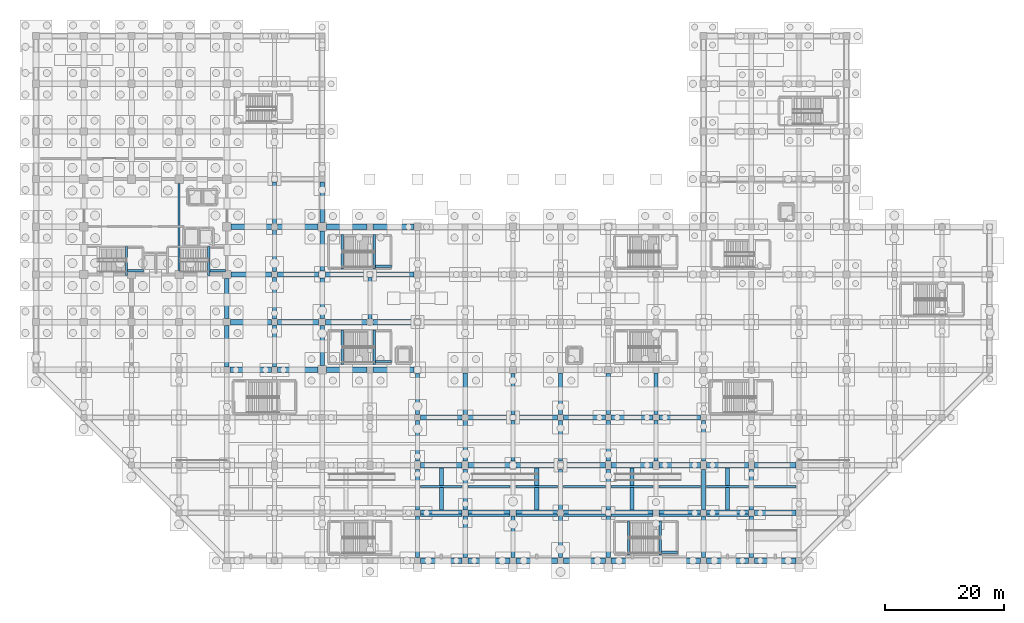
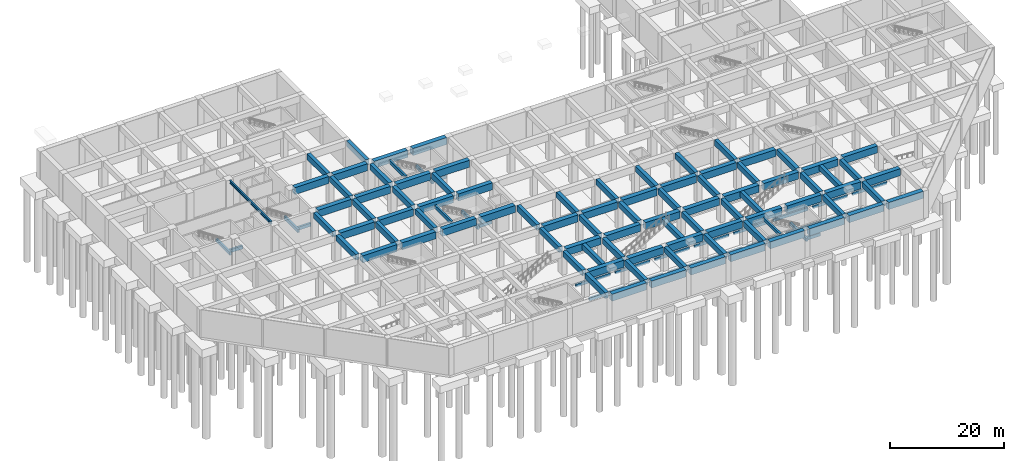
# One storey, part 11 of 26: 116 beams.
"""IFC4 building model written with IfcOpenShell, lengths in metres."""

from ifc_helpers import new_model, si_unit, direction, frame, origin, origin_2d, place, context, subcontext, project, spatial, rectangle, i_section, extrude, material, material_profile, profile_set, type_object, element, save


model = new_model("IFC4")

# Units and contexts
model_context = context("Model", 3, precision=1e-05, world=origin(), true_north=direction((0.0, 1.0)))
body_context = subcontext(model_context, "Body", "Model", "MODEL_VIEW")
ifc_project = project(units=[si_unit("LENGTHUNIT", "METRE"), si_unit("AREAUNIT", "SQUARE_METRE"), si_unit("VOLUMEUNIT", "CUBIC_METRE"), si_unit("PLANEANGLEUNIT", "RADIAN"), si_unit("MASSUNIT", "GRAM", prefix="KILO")], contexts=[model_context])

# Site, building, storey
site_placement = place(None, origin())
site = spatial("IfcSite", under=ifc_project, at=site_placement, CompositionType="ELEMENT")
building_placement = place(site_placement, origin())
building = spatial("IfcBuilding", under=site, at=building_placement, Name="Varnela Railside Interchange", CompositionType="ELEMENT")
storey_placement = place(building_placement, frame((0.0, 0.0, -12.60009765625)))
storey = spatial("IfcBuildingStorey", under=building, at=storey_placement, Name="B2", CompositionType="ELEMENT", Elevation=-12.60009765625)

# Beams
ifc_material_1 = material(Name="Concrete C40", Category="concrete")
ifc_material_profile_1 = material_profile(ifc_material_1, rectangle(XDim=0.39990234375, YDim=0.699951171875, at=origin_2d()), Name="RC 400x700")
ifc_profile_set_1 = profile_set([ifc_material_profile_1], Name="Concrete C40")
beam_type_1 = type_object("IfcBeamType", Name="Concrete Tie Beam B-01", PredefinedType="BEAM", material=ifc_profile_set_1)
beam_1_placement = place(storey_placement, frame((19.159912109375, 53.820068359375, 2.64013671875), z_axis=(0.0, 1.0, 0.0), x_axis=(-1.0, 0.0, 0.0)))
element("IfcBeam", 1, at=beam_1_placement, inside=storey, type_object=beam_type_1, Name="Concrete Tie Beam B-01 (B2) (BM-0379)", PredefinedType="BEAM", context=body_context, shape_type="SweptSolid", body=[
    extrude(rectangle(XDim=0.39990234375, YDim=0.699951171875, at=origin_2d()), origin(), (0.0, 0.0, 1.0), 4.85986328125),
])
beam_2_placement = place(storey_placement, frame((19.360107421875, 54.60009765625, 2.64013671875), z_axis=(1.0, 0.0, 0.0), x_axis=(0.0, 1.0, 0.0)))
element("IfcBeam", 2, at=beam_2_placement, inside=storey, type_object=beam_type_1, Name="Concrete Tie Beam B-01 (B2) (BM-0365)", PredefinedType="BEAM", context=body_context, shape_type="SweptSolid", body=[
    extrude(rectangle(XDim=0.39990234375, YDim=0.699951171875, at=origin_2d()), origin(), (0.0, 0.0, 1.0), 2.659912109375),
])
beam_3_placement = place(storey_placement, frame((32.9599609375, 53.820068359375, 2.64013671875), z_axis=(0.0, 1.0, 0.0), x_axis=(-1.0, 0.0, 0.0)))
element("IfcBeam", 3, at=beam_3_placement, inside=storey, type_object=beam_type_1, Name="Concrete Tie Beam B-01 (B2) (BM-0380)", PredefinedType="BEAM", context=body_context, shape_type="SweptSolid", body=[
    extrude(rectangle(XDim=0.39990234375, YDim=0.699951171875, at=origin_2d()), origin(), (0.0, 0.0, 1.0), 4.85986328125),
])
beam_4_placement = place(storey_placement, frame((33.159912109375, 54.60009765625, 2.64013671875), z_axis=(1.0, 0.0, 0.0), x_axis=(0.0, 1.0, 0.0)))
element("IfcBeam", 4, at=beam_4_placement, inside=storey, type_object=beam_type_1, Name="Concrete Tie Beam B-01 (B2) (BM-0366)", PredefinedType="BEAM", context=body_context, shape_type="SweptSolid", body=[
    extrude(rectangle(XDim=0.39990234375, YDim=0.699951171875, at=origin_2d()), origin(), (0.0, 0.0, 1.0), 2.66015625),
])
for number, where, z_axis, x_axis, name in (
    (5, (55.39990234375, 38.919921875, 5.550048828125), (0.0, 1.0, 0.0), (-1.0, 0.0, 0.0), "Concrete Tie Beam B-01 (B2) (BM-0382)"),
    (6, (60.7548828125, 38.919921875, 2.64013671875), (0.0, 1.0, 0.0), (-1.0, 0.0, 0.0), "Concrete Tie Beam B-01 (B2) (BM-0368)"),
):
    element("IfcBeam", number, at=place(storey_placement, frame(where, z_axis=z_axis, x_axis=x_axis)), inside=storey, type_object=beam_type_1, Name=name, PredefinedType="BEAM", context=body_context, shape_type="SweptSolid", body=[
        extrude(rectangle(XDim=0.39990234375, YDim=0.699951171875, at=origin_2d()), origin(), (0.0, 0.0, 1.0), 5.760009765625),
    ])
beam_5_placement = place(storey_placement, frame((60.955078125, 39.39990234375, 2.64013671875), z_axis=(1.0, 0.0, 0.0), x_axis=(0.0, 1.0, 0.0)))
element("IfcBeam", 7, at=beam_5_placement, inside=storey, type_object=beam_type_1, Name="Concrete Tie Beam B-01 (B2) (BM-0354)", PredefinedType="BEAM", context=body_context, shape_type="SweptSolid", body=[
    extrude(rectangle(XDim=0.39990234375, YDim=0.699951171875, at=origin_2d()), origin(), (0.0, 0.0, 1.0), 2.6650390625),
])
for number, where, z_axis, x_axis, name in (
    (8, (55.39990234375, 54.919921875, 5.550048828125), (0.0, 1.0, 0.0), (-1.0, 0.0, 0.0), "Concrete Tie Beam B-01 (B2) (BM-0384)"),
    (9, (60.7548828125, 54.919921875, 2.64013671875), (0.0, 1.0, 0.0), (-1.0, 0.0, 0.0), "Concrete Tie Beam B-01 (B2) (BM-0370)"),
):
    element("IfcBeam", number, at=place(storey_placement, frame(where, z_axis=z_axis, x_axis=x_axis)), inside=storey, type_object=beam_type_1, Name=name, PredefinedType="BEAM", context=body_context, shape_type="SweptSolid", body=[
        extrude(rectangle(XDim=0.39990234375, YDim=0.699951171875, at=origin_2d()), origin(), (0.0, 0.0, 1.0), 5.760009765625),
    ])
beam_6_placement = place(storey_placement, frame((60.955078125, 55.39990234375, 2.64013671875), z_axis=(1.0, 0.0, 0.0), x_axis=(0.0, 1.0, 0.0)))
element("IfcBeam", 10, at=beam_6_placement, inside=storey, type_object=beam_type_1, Name="Concrete Tie Beam B-01 (B2) (BM-0356)", PredefinedType="BEAM", context=body_context, shape_type="SweptSolid", body=[
    extrude(rectangle(XDim=0.39990234375, YDim=0.699951171875, at=origin_2d()), origin(), (0.0, 0.0, 1.0), 2.6650390625),
])
for number, where, z_axis, x_axis, name in (
    (11, (103.39990234375, 6.919921875, 5.550048828125), (0.0, 1.0, 0.0), (-1.0, 0.0, 0.0), "Concrete Tie Beam B-01 (B2) (BM-0392)"),
    (12, (108.7548828125, 6.919921875, 2.64013671875), (0.0, 1.0, 0.0), (-1.0, 0.0, 0.0), "Concrete Tie Beam B-01 (B2) (BM-0378)"),
):
    element("IfcBeam", number, at=place(storey_placement, frame(where, z_axis=z_axis, x_axis=x_axis)), inside=storey, type_object=beam_type_1, Name=name, PredefinedType="BEAM", context=body_context, shape_type="SweptSolid", body=[
        extrude(rectangle(XDim=0.39990234375, YDim=0.699951171875, at=origin_2d()), origin(), (0.0, 0.0, 1.0), 5.760009765625),
    ])
beam_7_placement = place(storey_placement, frame((108.955078125, 7.39990234375, 2.64013671875), z_axis=(1.0, 0.0, 0.0), x_axis=(0.0, 1.0, 0.0)))
element("IfcBeam", 13, at=beam_7_placement, inside=storey, type_object=beam_type_1, Name="Concrete Tie Beam B-01 (B2) (BM-0364)", PredefinedType="BEAM", context=body_context, shape_type="SweptSolid", body=[
    extrude(rectangle(XDim=0.39990234375, YDim=0.699951171875, at=origin_2d()), origin(), (0.0, 0.0, 1.0), 2.6650390625),
])
ifc_material_2 = material(Name="Concrete C50", Category="concrete")
ifc_material_profile_2 = material_profile(ifc_material_2, rectangle(XDim=0.89990234375, YDim=1.5, at=origin_2d()), Name="RC 900x1500")
ifc_profile_set_2 = profile_set([ifc_material_profile_2], Name="Concrete C50")
beam_type_2 = type_object("IfcBeamType", Name="Metro Trackway Girder B-11", PredefinedType="BEAM", material=ifc_profile_set_2)
for number, where, z_axis, x_axis, name in (
    (14, (68.5, 6.0, 5.150146484375), (1.0, 0.0, 0.0), (0.0, 1.0, 0.0), "Metro Trackway Girder B-11 (B2) (BM-0032)"),
    (15, (76.5, 6.0, 5.150146484375), (1.0, 0.0, 0.0), (0.0, 1.0, 0.0), "Metro Trackway Girder B-11 (B2) (BM-0033)"),
    (16, (84.5, 6.0, 5.150146484375), (1.0, 0.0, 0.0), (0.0, 1.0, 0.0), "Metro Trackway Girder B-11 (B2) (BM-0034)"),
    (17, (92.5, 6.0, 5.150146484375), (1.0, 0.0, 0.0), (0.0, 1.0, 0.0), "Metro Trackway Girder B-11 (B2) (BM-0035)"),
    (18, (100.5, 6.0, 5.150146484375), (1.0, 0.0, 0.0), (0.0, 1.0, 0.0), "Metro Trackway Girder B-11 (B2) (BM-0024)"),
    (19, (108.5, 6.0, 5.150146484375), (1.0, 0.0, 0.0), (0.0, 1.0, 0.0), "Metro Trackway Girder B-11 (B2) (BM-0025)"),
    (20, (116.5, 6.0, 5.150146484375), (1.0, 0.0, 0.0), (0.0, 1.0, 0.0), "Metro Trackway Girder B-11 (B2) (BM-0026)"),
    (21, (124.5, 6.0, 5.150146484375), (1.0, 0.0, 0.0), (0.0, 1.0, 0.0), "Metro Trackway Girder B-11 (B2) (BM-0027)"),
    (22, (68.5, 14.0, 5.150146484375), (1.0, 0.0, 0.0), (0.0, 1.0, 0.0), "Metro Trackway Girder B-11 (B2) (BM-0046)"),
    (23, (76.5, 14.0, 5.150146484375), (1.0, 0.0, 0.0), (0.0, 1.0, 0.0), "Metro Trackway Girder B-11 (B2) (BM-0047)"),
    (24, (84.5, 14.0, 5.150146484375), (1.0, 0.0, 0.0), (0.0, 1.0, 0.0), "Metro Trackway Girder B-11 (B2) (BM-0048)"),
    (25, (92.5, 14.0, 5.150146484375), (1.0, 0.0, 0.0), (0.0, 1.0, 0.0), "Metro Trackway Girder B-11 (B2) (BM-0049)"),
    (26, (100.5, 14.0, 5.150146484375), (1.0, 0.0, 0.0), (0.0, 1.0, 0.0), "Metro Trackway Girder B-11 (B2) (BM-0036)"),
    (27, (108.5, 14.0, 5.150146484375), (1.0, 0.0, 0.0), (0.0, 1.0, 0.0), "Metro Trackway Girder B-11 (B2) (BM-0037)"),
    (28, (116.5, 14.0, 5.150146484375), (1.0, 0.0, 0.0), (0.0, 1.0, 0.0), "Metro Trackway Girder B-11 (B2) (BM-0038)"),
    (29, (124.5, 14.0, 5.150146484375), (1.0, 0.0, 0.0), (0.0, 1.0, 0.0), "Metro Trackway Girder B-11 (B2) (BM-0039)"),
    (30, (68.5, 22.0, 5.150146484375), (1.0, 0.0, 0.0), (0.0, 1.0, 0.0), "Metro Trackway Girder B-11 (B2) (BM-0062)"),
    (31, (76.5, 22.0, 5.150146484375), (1.0, 0.0, 0.0), (0.0, 1.0, 0.0), "Metro Trackway Girder B-11 (B2) (BM-0063)"),
    (32, (84.5, 22.0, 5.150146484375), (1.0, 0.0, 0.0), (0.0, 1.0, 0.0), "Metro Trackway Girder B-11 (B2) (BM-0064)"),
    (33, (92.5, 22.0, 5.150146484375), (1.0, 0.0, 0.0), (0.0, 1.0, 0.0), "Metro Trackway Girder B-11 (B2) (BM-0065)"),
    (34, (100.5, 22.0, 5.150146484375), (1.0, 0.0, 0.0), (0.0, 1.0, 0.0), "Metro Trackway Girder B-11 (B2) (BM-0050)"),
    (35, (108.5, 22.0, 5.150146484375), (1.0, 0.0, 0.0), (0.0, 1.0, 0.0), "Metro Trackway Girder B-11 (B2) (BM-0051)"),
    (36, (116.5, 22.0, 5.150146484375), (1.0, 0.0, 0.0), (0.0, 1.0, 0.0), "Metro Trackway Girder B-11 (B2) (BM-0052)"),
    (37, (124.5, 22.0, 5.150146484375), (1.0, 0.0, 0.0), (0.0, 1.0, 0.0), "Metro Trackway Girder B-11 (B2) (BM-0053)"),
    (38, (68.5, 30.0, 5.150146484375), (1.0, 0.0, 0.0), (0.0, 1.0, 0.0), "Metro Trackway Girder B-11 (B2) (BM-0080)"),
    (39, (76.5, 30.0, 5.150146484375), (1.0, 0.0, 0.0), (0.0, 1.0, 0.0), "Metro Trackway Girder B-11 (B2) (BM-0081)"),
    (40, (84.5, 30.0, 5.150146484375), (1.0, 0.0, 0.0), (0.0, 1.0, 0.0), "Metro Trackway Girder B-11 (B2) (BM-0082)"),
    (41, (92.5, 30.0, 5.150146484375), (1.0, 0.0, 0.0), (0.0, 1.0, 0.0), "Metro Trackway Girder B-11 (B2) (BM-0083)"),
    (42, (100.5, 30.0, 5.150146484375), (1.0, 0.0, 0.0), (0.0, 1.0, 0.0), "Metro Trackway Girder B-11 (B2) (BM-0066)"),
    (43, (108.5, 30.0, 5.150146484375), (1.0, 0.0, 0.0), (0.0, 1.0, 0.0), "Metro Trackway Girder B-11 (B2) (BM-0067)"),
    (44, (36.5, 38.0, 5.150146484375), (1.0, 0.0, 0.0), (0.0, 1.0, 0.0), "Metro Trackway Girder B-11 (B2) (BM-0095)"),
):
    element("IfcBeam", number, at=place(storey_placement, frame(where, z_axis=z_axis, x_axis=x_axis)), inside=storey, type_object=beam_type_2, Name=name, PredefinedType="BEAM", context=body_context, shape_type="SweptSolid", body=[
        extrude(rectangle(XDim=0.89990234375, YDim=1.5, at=origin_2d()), origin(), (0.0, 0.0, 1.0), 7.0),
    ])
for number, where, z_axis, x_axis, name in (
    (45, (44.5, 38.0, 5.150146484375), (1.0, 0.0, 0.0), (0.0, 1.0, 0.0), "Metro Trackway Girder B-11 (B2) (BM-0096)"),
    (46, (52.699951171875, 38.0, 5.150146484375), (1.0, 0.0, 0.0), (0.0, 1.0, 0.0), "Metro Trackway Girder B-11 (B2) (BM-0098)"),
):
    element("IfcBeam", number, at=place(storey_placement, frame(where, z_axis=z_axis, x_axis=x_axis)), inside=storey, type_object=beam_type_2, Name=name, PredefinedType="BEAM", context=body_context, shape_type="SweptSolid", body=[
        extrude(rectangle(XDim=0.89990234375, YDim=1.5, at=origin_2d()), origin(), (0.0, 0.0, 1.0), 6.800048828125),
    ])
for number, where, z_axis, x_axis, name in (
    (47, (60.5, 38.0, 5.150146484375), (1.0, 0.0, 0.0), (0.0, 1.0, 0.0), "Metro Trackway Girder B-11 (B2) (BM-0099)"),
    (48, (36.60009765625, 46.0, 5.150146484375), (1.0, 0.0, 0.0), (0.0, 1.0, 0.0), "Metro Trackway Girder B-11 (B2) (BM-0115)"),
    (49, (44.5, 46.0, 5.150146484375), (1.0, 0.0, 0.0), (0.0, 1.0, 0.0), "Metro Trackway Girder B-11 (B2) (BM-0116)"),
    (50, (52.60009765625, 46.0, 5.150146484375), (1.0, 0.0, 0.0), (0.0, 1.0, 0.0), "Metro Trackway Girder B-11 (B2) (BM-0118)"),
    (51, (60.5, 46.0, 5.150146484375), (1.0, 0.0, 0.0), (0.0, 1.0, 0.0), "Metro Trackway Girder B-11 (B2) (BM-0119)"),
):
    element("IfcBeam", number, at=place(storey_placement, frame(where, z_axis=z_axis, x_axis=x_axis)), inside=storey, type_object=beam_type_2, Name=name, PredefinedType="BEAM", context=body_context, shape_type="SweptSolid", body=[
        extrude(rectangle(XDim=0.89990234375, YDim=1.5, at=origin_2d()), origin(), (0.0, 0.0, 1.0), 6.89990234375),
    ])
beam_8_placement = place(storey_placement, frame((36.699951171875, 54.0, 5.150146484375), z_axis=(1.0, 0.0, 0.0), x_axis=(0.0, 1.0, 0.0)))
element("IfcBeam", 52, at=beam_8_placement, inside=storey, type_object=beam_type_2, Name="Metro Trackway Girder B-11 (B2) (BM-0132)", PredefinedType="BEAM", context=body_context, shape_type="SweptSolid", body=[
    extrude(rectangle(XDim=0.89990234375, YDim=1.5, at=origin_2d()), origin(), (0.0, 0.0, 1.0), 6.800048828125),
])
for number, where, z_axis, x_axis, name in (
    (53, (44.5, 54.0, 5.150146484375), (1.0, 0.0, 0.0), (0.0, 1.0, 0.0), "Metro Trackway Girder B-11 (B2) (BM-0133)"),
    (54, (52.60009765625, 54.0, 5.150146484375), (1.0, 0.0, 0.0), (0.0, 1.0, 0.0), "Metro Trackway Girder B-11 (B2) (BM-0135)"),
    (55, (60.5, 54.0, 5.150146484375), (1.0, 0.0, 0.0), (0.0, 1.0, 0.0), "Metro Trackway Girder B-11 (B2) (BM-0136)"),
):
    element("IfcBeam", number, at=place(storey_placement, frame(where, z_axis=z_axis, x_axis=x_axis)), inside=storey, type_object=beam_type_2, Name=name, PredefinedType="BEAM", context=body_context, shape_type="SweptSolid", body=[
        extrude(rectangle(XDim=0.89990234375, YDim=1.5, at=origin_2d()), origin(), (0.0, 0.0, 1.0), 6.89990234375),
    ])
for number, where, z_axis, x_axis, name in (
    (56, (36.699951171875, 62.0, 5.150146484375), (1.0, 0.0, 0.0), (0.0, 1.0, 0.0), "Metro Trackway Girder B-11 (B2) (BM-0149)"),
    (57, (44.5, 62.0, 5.150146484375), (1.0, 0.0, 0.0), (0.0, 1.0, 0.0), "Metro Trackway Girder B-11 (B2) (BM-0150)"),
    (58, (52.699951171875, 62.0, 5.150146484375), (1.0, 0.0, 0.0), (0.0, 1.0, 0.0), "Metro Trackway Girder B-11 (B2) (BM-0152)"),
):
    element("IfcBeam", number, at=place(storey_placement, frame(where, z_axis=z_axis, x_axis=x_axis)), inside=storey, type_object=beam_type_2, Name=name, PredefinedType="BEAM", context=body_context, shape_type="SweptSolid", body=[
        extrude(rectangle(XDim=0.89990234375, YDim=1.5, at=origin_2d()), origin(), (0.0, 0.0, 1.0), 6.800048828125),
    ])
beam_9_placement = place(storey_placement, frame((60.5, 62.0, 5.150146484375), z_axis=(1.0, 0.0, 0.0), x_axis=(0.0, 1.0, 0.0)))
element("IfcBeam", 59, at=beam_9_placement, inside=storey, type_object=beam_type_2, Name="Metro Trackway Girder B-11 (B2) (BM-0153)", PredefinedType="BEAM", context=body_context, shape_type="SweptSolid", body=[
    extrude(rectangle(XDim=0.89990234375, YDim=1.5, at=origin_2d()), origin(), (0.0, 0.0, 1.0), 6.89990234375),
])
ifc_material_3 = material(Name="Concrete C40 precast", Category="concrete")
ifc_material_profile_3 = material_profile(ifc_material_3, rectangle(XDim=0.35009765625, YDim=0.64990234375, at=origin_2d()), Name="PC 350x650")
ifc_profile_set_3 = profile_set([ifc_material_profile_3], Name="Concrete C40 precast")
beam_type_3 = type_object("IfcBeamType", Name="Precast Platform Edge Beam PB-01", PredefinedType="T_BEAM", material=ifc_profile_set_3)
for number, where, z_axis, x_axis, name in (
    (60, (68.5, 13.60009765625, 0.025146484375), (1.0, 0.0, 0.0), (0.0, 1.0, 0.0), "Precast Platform Edge Beam PB-01 (B2) (BM-0018)"),
    (61, (76.5, 13.60009765625, 0.025146484375), (1.0, 0.0, 0.0), (0.0, 1.0, 0.0), "Precast Platform Edge Beam PB-01 (B2) (BM-0019)"),
    (62, (84.5, 13.60009765625, 0.025146484375), (1.0, 0.0, 0.0), (0.0, 1.0, 0.0), "Precast Platform Edge Beam PB-01 (B2) (BM-0020)"),
    (63, (92.5, 13.60009765625, 0.025146484375), (1.0, 0.0, 0.0), (0.0, 1.0, 0.0), "Precast Platform Edge Beam PB-01 (B2) (BM-0021)"),
    (64, (100.5, 13.60009765625, 0.025146484375), (1.0, 0.0, 0.0), (0.0, 1.0, 0.0), "Precast Platform Edge Beam PB-01 (B2) (BM-0022)"),
    (65, (108.5, 13.60009765625, 0.025146484375), (1.0, 0.0, 0.0), (0.0, 1.0, 0.0), "Precast Platform Edge Beam PB-01 (B2) (BM-0023)"),
    (66, (116.5, 13.60009765625, 0.025146484375), (1.0, 0.0, 0.0), (0.0, 1.0, 0.0), "Precast Platform Edge Beam PB-01 (B2) (BM-0015)"),
    (67, (68.5, 18.39990234375, 0.025146484375), (1.0, 0.0, 0.0), (0.0, 1.0, 0.0), "Precast Platform Edge Beam PB-01 (B2) (BM-0007)"),
    (68, (76.5, 18.39990234375, 0.025146484375), (1.0, 0.0, 0.0), (0.0, 1.0, 0.0), "Precast Platform Edge Beam PB-01 (B2) (BM-0008)"),
    (69, (84.5, 18.39990234375, 0.025146484375), (1.0, 0.0, 0.0), (0.0, 1.0, 0.0), "Precast Platform Edge Beam PB-01 (B2) (BM-0009)"),
    (70, (92.5, 18.39990234375, 0.025146484375), (1.0, 0.0, 0.0), (0.0, 1.0, 0.0), "Precast Platform Edge Beam PB-01 (B2) (BM-0010)"),
    (71, (100.5, 18.39990234375, 0.025146484375), (1.0, 0.0, 0.0), (0.0, 1.0, 0.0), "Precast Platform Edge Beam PB-01 (B2) (BM-0011)"),
    (72, (108.5, 18.39990234375, 0.025146484375), (1.0, 0.0, 0.0), (0.0, 1.0, 0.0), "Precast Platform Edge Beam PB-01 (B2) (BM-0012)"),
    (73, (116.5, 18.39990234375, 0.025146484375), (1.0, 0.0, 0.0), (0.0, 1.0, 0.0), "Precast Platform Edge Beam PB-01 (B2) (BM-0003)"),
    (74, (124.5, 18.39990234375, 0.025146484375), (1.0, 0.0, 0.0), (0.0, 1.0, 0.0), "Precast Platform Edge Beam PB-01 (B2) (BM-0004)"),
):
    element("IfcBeam", number, at=place(storey_placement, frame(where, z_axis=z_axis, x_axis=x_axis)), inside=storey, type_object=beam_type_3, Name=name, PredefinedType="T_BEAM", context=body_context, shape_type="SweptSolid", body=[
        extrude(rectangle(XDim=0.35009765625, YDim=0.64990234375, at=origin_2d()), origin(), (0.0, 0.0, 1.0), 7.0),
    ])
ifc_material_profile_4 = material_profile(ifc_material_2, rectangle(XDim=0.699951171875, YDim=1.199951171875, at=origin_2d()), Name="RC 700x1200")
ifc_profile_set_4 = profile_set([ifc_material_profile_4], Name="Concrete C50")
beam_type_4 = type_object("IfcBeamType", Name="Station Box Main Girder B-08", PredefinedType="BEAM", material=ifc_profile_set_4)
beam_10_placement = place(storey_placement, frame((36.0, 38.5, 5.300048828125), z_axis=(0.0, 1.0, 0.0), x_axis=(-1.0, 0.0, 0.0)))
element("IfcBeam", 75, at=beam_10_placement, inside=storey, type_object=beam_type_4, Name="Station Box Main Girder B-08 (B2) (BM-0304)", PredefinedType="BEAM", context=body_context, shape_type="SweptSolid", body=[
    extrude(rectangle(XDim=0.699951171875, YDim=1.199951171875, at=origin_2d()), origin(), (0.0, 0.0, 1.0), 6.89990234375),
])
beam_11_placement = place(storey_placement, frame((36.0, 46.60009765625, 5.300048828125), z_axis=(0.0, 1.0, 0.0), x_axis=(-1.0, 0.0, 0.0)))
element("IfcBeam", 76, at=beam_11_placement, inside=storey, type_object=beam_type_4, Name="Station Box Main Girder B-08 (B2) (BM-0305)", PredefinedType="BEAM", context=body_context, shape_type="SweptSolid", body=[
    extrude(rectangle(XDim=0.699951171875, YDim=1.199951171875, at=origin_2d()), origin(), (0.0, 0.0, 1.0), 6.699951171875),
])
for number, where, z_axis, x_axis, name in (
    (77, (44.0, 38.5, 5.300048828125), (0.0, 1.0, 0.0), (-1.0, 0.0, 0.0), "Station Box Main Girder B-08 (B2) (BM-0312)"),
    (78, (44.0, 46.5, 5.300048828125), (0.0, 1.0, 0.0), (-1.0, 0.0, 0.0), "Station Box Main Girder B-08 (B2) (BM-0313)"),
    (79, (44.0, 54.5, 5.300048828125), (0.0, 1.0, 0.0), (-1.0, 0.0, 0.0), "Station Box Main Girder B-08 (B2) (BM-0314)"),
    (80, (44.0, 62.5, 5.300048828125), (0.0, 1.0, 0.0), (-1.0, 0.0, 0.0), "Station Box Main Girder B-08 (B2) (BM-0315)"),
):
    element("IfcBeam", number, at=place(storey_placement, frame(where, z_axis=z_axis, x_axis=x_axis)), inside=storey, type_object=beam_type_4, Name=name, PredefinedType="BEAM", context=body_context, shape_type="SweptSolid", body=[
        extrude(rectangle(XDim=0.699951171875, YDim=1.199951171875, at=origin_2d()), origin(), (0.0, 0.0, 1.0), 7.0),
    ])
beam_12_placement = place(storey_placement, frame((52.0, 38.699951171875, 5.300048828125), z_axis=(0.0, 1.0, 0.0), x_axis=(-1.0, 0.0, 0.0)))
element("IfcBeam", 81, at=beam_12_placement, inside=storey, type_object=beam_type_4, Name="Station Box Main Girder B-08 (B2) (BM-0322)", PredefinedType="BEAM", context=body_context, shape_type="SweptSolid", body=[
    extrude(rectangle(XDim=0.699951171875, YDim=1.199951171875, at=origin_2d()), origin(), (0.0, 0.0, 1.0), 6.699951171875),
])
beam_13_placement = place(storey_placement, frame((52.0, 46.60009765625, 5.300048828125), z_axis=(0.0, 1.0, 0.0), x_axis=(-1.0, 0.0, 0.0)))
element("IfcBeam", 82, at=beam_13_placement, inside=storey, type_object=beam_type_4, Name="Station Box Main Girder B-08 (B2) (BM-0323)", PredefinedType="BEAM", context=body_context, shape_type="SweptSolid", body=[
    extrude(rectangle(XDim=0.699951171875, YDim=1.199951171875, at=origin_2d()), origin(), (0.0, 0.0, 1.0), 6.7998046875),
])
beam_14_placement = place(storey_placement, frame((52.0, 54.60009765625, 5.300048828125), z_axis=(0.0, 1.0, 0.0), x_axis=(-1.0, 0.0, 0.0)))
element("IfcBeam", 83, at=beam_14_placement, inside=storey, type_object=beam_type_4, Name="Station Box Main Girder B-08 (B2) (BM-0324)", PredefinedType="BEAM", context=body_context, shape_type="SweptSolid", body=[
    extrude(rectangle(XDim=0.699951171875, YDim=1.199951171875, at=origin_2d()), origin(), (0.0, 0.0, 1.0), 6.699951171875),
])
beam_15_placement = place(storey_placement, frame((52.0, 62.699951171875, 5.300048828125), z_axis=(0.0, 1.0, 0.0), x_axis=(-1.0, 0.0, 0.0)))
element("IfcBeam", 84, at=beam_15_placement, inside=storey, type_object=beam_type_4, Name="Station Box Main Girder B-08 (B2) (BM-0325)", PredefinedType="BEAM", context=body_context, shape_type="SweptSolid", body=[
    extrude(rectangle(XDim=0.699951171875, YDim=1.199951171875, at=origin_2d()), origin(), (0.0, 0.0, 1.0), 6.800048828125),
])
for number, where, z_axis, x_axis, name in (
    (85, (60.0, 46.5, 5.300048828125), (0.0, 1.0, 0.0), (-1.0, 0.0, 0.0), "Station Box Main Girder B-08 (B2) (BM-0332)"),
    (86, (68.0, 6.5, 5.300048828125), (0.0, 1.0, 0.0), (-1.0, 0.0, 0.0), "Station Box Main Girder B-08 (B2) (BM-0339)"),
):
    element("IfcBeam", number, at=place(storey_placement, frame(where, z_axis=z_axis, x_axis=x_axis)), inside=storey, type_object=beam_type_4, Name=name, PredefinedType="BEAM", context=body_context, shape_type="SweptSolid", body=[
        extrude(rectangle(XDim=0.699951171875, YDim=1.199951171875, at=origin_2d()), origin(), (0.0, 0.0, 1.0), 7.0),
    ])
for number, where, z_axis, x_axis, name in (
    (87, (68.0, 14.5, 5.300048828125), (0.0, 1.0, 0.0), (-1.0, 0.0, 0.0), "Station Box Main Girder B-08 (B2) (BM-0333)"),
    (88, (68.0, 22.699951171875, 5.300048828125), (0.0, 1.0, 0.0), (-1.0, 0.0, 0.0), "Station Box Main Girder B-08 (B2) (BM-0334)"),
):
    element("IfcBeam", number, at=place(storey_placement, frame(where, z_axis=z_axis, x_axis=x_axis)), inside=storey, type_object=beam_type_4, Name=name, PredefinedType="BEAM", context=body_context, shape_type="SweptSolid", body=[
        extrude(rectangle(XDim=0.699951171875, YDim=1.199951171875, at=origin_2d()), origin(), (0.0, 0.0, 1.0), 6.800048828125),
    ])
beam_16_placement = place(storey_placement, frame((68.0, 30.5, 5.300048828125), z_axis=(0.0, 1.0, 0.0), x_axis=(-1.0, 0.0, 0.0)))
element("IfcBeam", 89, at=beam_16_placement, inside=storey, type_object=beam_type_4, Name="Station Box Main Girder B-08 (B2) (BM-0335)", PredefinedType="BEAM", context=body_context, shape_type="SweptSolid", body=[
    extrude(rectangle(XDim=0.699951171875, YDim=1.199951171875, at=origin_2d()), origin(), (0.0, 0.0, 1.0), 6.89990234375),
])
beam_17_placement = place(storey_placement, frame((76.0, 6.5, 5.300048828125), z_axis=(0.0, 1.0, 0.0), x_axis=(-1.0, 0.0, 0.0)))
element("IfcBeam", 90, at=beam_17_placement, inside=storey, type_object=beam_type_4, Name="Station Box Main Girder B-08 (B2) (BM-0197)", PredefinedType="BEAM", context=body_context, shape_type="SweptSolid", body=[
    extrude(rectangle(XDim=0.699951171875, YDim=1.199951171875, at=origin_2d()), origin(), (0.0, 0.0, 1.0), 7.0),
])
for number, where, z_axis, x_axis, name in (
    (91, (76.0, 14.5, 5.300048828125), (0.0, 1.0, 0.0), (-1.0, 0.0, 0.0), "Station Box Main Girder B-08 (B2) (BM-0191)"),
    (92, (76.0, 22.699951171875, 5.300048828125), (0.0, 1.0, 0.0), (-1.0, 0.0, 0.0), "Station Box Main Girder B-08 (B2) (BM-0192)"),
):
    element("IfcBeam", number, at=place(storey_placement, frame(where, z_axis=z_axis, x_axis=x_axis)), inside=storey, type_object=beam_type_4, Name=name, PredefinedType="BEAM", context=body_context, shape_type="SweptSolid", body=[
        extrude(rectangle(XDim=0.699951171875, YDim=1.199951171875, at=origin_2d()), origin(), (0.0, 0.0, 1.0), 6.800048828125),
    ])
for number, where, z_axis, x_axis, name in (
    (93, (76.0, 30.5, 5.300048828125), (0.0, 1.0, 0.0), (-1.0, 0.0, 0.0), "Station Box Main Girder B-08 (B2) (BM-0193)"),
    (94, (84.0, 6.5, 5.300048828125), (0.0, 1.0, 0.0), (-1.0, 0.0, 0.0), "Station Box Main Girder B-08 (B2) (BM-0203)"),
):
    element("IfcBeam", number, at=place(storey_placement, frame(where, z_axis=z_axis, x_axis=x_axis)), inside=storey, type_object=beam_type_4, Name=name, PredefinedType="BEAM", context=body_context, shape_type="SweptSolid", body=[
        extrude(rectangle(XDim=0.699951171875, YDim=1.199951171875, at=origin_2d()), origin(), (0.0, 0.0, 1.0), 7.0),
    ])
beam_18_placement = place(storey_placement, frame((84.0, 22.699951171875, 5.300048828125), z_axis=(0.0, 1.0, 0.0), x_axis=(-1.0, 0.0, 0.0)))
element("IfcBeam", 95, at=beam_18_placement, inside=storey, type_object=beam_type_4, Name="Station Box Main Girder B-08 (B2) (BM-0198)", PredefinedType="BEAM", context=body_context, shape_type="SweptSolid", body=[
    extrude(rectangle(XDim=0.699951171875, YDim=1.199951171875, at=origin_2d()), origin(), (0.0, 0.0, 1.0), 6.800048828125),
])
beam_19_placement = place(storey_placement, frame((84.0, 30.5, 5.300048828125), z_axis=(0.0, 1.0, 0.0), x_axis=(-1.0, 0.0, 0.0)))
element("IfcBeam", 96, at=beam_19_placement, inside=storey, type_object=beam_type_4, Name="Station Box Main Girder B-08 (B2) (BM-0199)", PredefinedType="BEAM", context=body_context, shape_type="SweptSolid", body=[
    extrude(rectangle(XDim=0.699951171875, YDim=1.199951171875, at=origin_2d()), origin(), (0.0, 0.0, 1.0), 6.89990234375),
])
beam_20_placement = place(storey_placement, frame((92.0, 6.5, 5.300048828125), z_axis=(0.0, 1.0, 0.0), x_axis=(-1.0, 0.0, 0.0)))
element("IfcBeam", 97, at=beam_20_placement, inside=storey, type_object=beam_type_4, Name="Station Box Main Girder B-08 (B2) (BM-0210)", PredefinedType="BEAM", context=body_context, shape_type="SweptSolid", body=[
    extrude(rectangle(XDim=0.699951171875, YDim=1.199951171875, at=origin_2d()), origin(), (0.0, 0.0, 1.0), 7.0),
])
for number, where, z_axis, x_axis, name in (
    (98, (92.0, 14.5, 5.300048828125), (0.0, 1.0, 0.0), (-1.0, 0.0, 0.0), "Station Box Main Girder B-08 (B2) (BM-0204)"),
    (99, (92.0, 22.699951171875, 5.300048828125), (0.0, 1.0, 0.0), (-1.0, 0.0, 0.0), "Station Box Main Girder B-08 (B2) (BM-0205)"),
):
    element("IfcBeam", number, at=place(storey_placement, frame(where, z_axis=z_axis, x_axis=x_axis)), inside=storey, type_object=beam_type_4, Name=name, PredefinedType="BEAM", context=body_context, shape_type="SweptSolid", body=[
        extrude(rectangle(XDim=0.699951171875, YDim=1.199951171875, at=origin_2d()), origin(), (0.0, 0.0, 1.0), 6.800048828125),
    ])
for number, where, z_axis, x_axis, name in (
    (100, (92.0, 30.5, 5.300048828125), (0.0, 1.0, 0.0), (-1.0, 0.0, 0.0), "Station Box Main Girder B-08 (B2) (BM-0206)"),
    (101, (100.0, 6.5, 5.300048828125), (0.0, 1.0, 0.0), (-1.0, 0.0, 0.0), "Station Box Main Girder B-08 (B2) (BM-0217)"),
):
    element("IfcBeam", number, at=place(storey_placement, frame(where, z_axis=z_axis, x_axis=x_axis)), inside=storey, type_object=beam_type_4, Name=name, PredefinedType="BEAM", context=body_context, shape_type="SweptSolid", body=[
        extrude(rectangle(XDim=0.699951171875, YDim=1.199951171875, at=origin_2d()), origin(), (0.0, 0.0, 1.0), 7.0),
    ])
for number, where, z_axis, x_axis, name in (
    (102, (100.0, 14.5, 5.300048828125), (0.0, 1.0, 0.0), (-1.0, 0.0, 0.0), "Station Box Main Girder B-08 (B2) (BM-0211)"),
    (103, (100.0, 22.699951171875, 5.300048828125), (0.0, 1.0, 0.0), (-1.0, 0.0, 0.0), "Station Box Main Girder B-08 (B2) (BM-0212)"),
):
    element("IfcBeam", number, at=place(storey_placement, frame(where, z_axis=z_axis, x_axis=x_axis)), inside=storey, type_object=beam_type_4, Name=name, PredefinedType="BEAM", context=body_context, shape_type="SweptSolid", body=[
        extrude(rectangle(XDim=0.699951171875, YDim=1.199951171875, at=origin_2d()), origin(), (0.0, 0.0, 1.0), 6.800048828125),
    ])
beam_21_placement = place(storey_placement, frame((100.0, 30.5, 5.300048828125), z_axis=(0.0, 1.0, 0.0), x_axis=(-1.0, 0.0, 0.0)))
element("IfcBeam", 104, at=beam_21_placement, inside=storey, type_object=beam_type_4, Name="Station Box Main Girder B-08 (B2) (BM-0213)", PredefinedType="BEAM", context=body_context, shape_type="SweptSolid", body=[
    extrude(rectangle(XDim=0.699951171875, YDim=1.199951171875, at=origin_2d()), origin(), (0.0, 0.0, 1.0), 6.89990234375),
])
beam_22_placement = place(storey_placement, frame((108.0, 22.699951171875, 5.300048828125), z_axis=(0.0, 1.0, 0.0), x_axis=(-1.0, 0.0, 0.0)))
element("IfcBeam", 105, at=beam_22_placement, inside=storey, type_object=beam_type_4, Name="Station Box Main Girder B-08 (B2) (BM-0218)", PredefinedType="BEAM", context=body_context, shape_type="SweptSolid", body=[
    extrude(rectangle(XDim=0.699951171875, YDim=1.199951171875, at=origin_2d()), origin(), (0.0, 0.0, 1.0), 6.800048828125),
])
for number, where, z_axis, x_axis, name in (
    (106, (108.0, 30.5, 5.300048828125), (0.0, 1.0, 0.0), (-1.0, 0.0, 0.0), "Station Box Main Girder B-08 (B2) (BM-0219)"),
    (107, (116.0, 6.5, 5.300048828125), (0.0, 1.0, 0.0), (-1.0, 0.0, 0.0), "Station Box Main Girder B-08 (B2) (BM-0228)"),
):
    element("IfcBeam", number, at=place(storey_placement, frame(where, z_axis=z_axis, x_axis=x_axis)), inside=storey, type_object=beam_type_4, Name=name, PredefinedType="BEAM", context=body_context, shape_type="SweptSolid", body=[
        extrude(rectangle(XDim=0.699951171875, YDim=1.199951171875, at=origin_2d()), origin(), (0.0, 0.0, 1.0), 7.0),
    ])
for number, where, z_axis, x_axis, name in (
    (108, (116.0, 14.5, 5.300048828125), (0.0, 1.0, 0.0), (-1.0, 0.0, 0.0), "Station Box Main Girder B-08 (B2) (BM-0221)"),
    (109, (116.0, 22.699951171875, 5.300048828125), (0.0, 1.0, 0.0), (-1.0, 0.0, 0.0), "Station Box Main Girder B-08 (B2) (BM-0222)"),
):
    element("IfcBeam", number, at=place(storey_placement, frame(where, z_axis=z_axis, x_axis=x_axis)), inside=storey, type_object=beam_type_4, Name=name, PredefinedType="BEAM", context=body_context, shape_type="SweptSolid", body=[
        extrude(rectangle(XDim=0.699951171875, YDim=1.199951171875, at=origin_2d()), origin(), (0.0, 0.0, 1.0), 6.800048828125),
    ])
beam_23_placement = place(storey_placement, frame((124.0, 6.5, 5.300048828125), z_axis=(0.0, 1.0, 0.0), x_axis=(-1.0, 0.0, 0.0)))
element("IfcBeam", 110, at=beam_23_placement, inside=storey, type_object=beam_type_4, Name="Station Box Main Girder B-08 (B2) (BM-0237)", PredefinedType="BEAM", context=body_context, shape_type="SweptSolid", body=[
    extrude(rectangle(XDim=0.699951171875, YDim=1.199951171875, at=origin_2d()), origin(), (0.0, 0.0, 1.0), 7.0),
])
beam_24_placement = place(storey_placement, frame((124.0, 14.5, 5.300048828125), z_axis=(0.0, 1.0, 0.0), x_axis=(-1.0, 0.0, 0.0)))
element("IfcBeam", 111, at=beam_24_placement, inside=storey, type_object=beam_type_4, Name="Station Box Main Girder B-08 (B2) (BM-0232)", PredefinedType="BEAM", context=body_context, shape_type="SweptSolid", body=[
    extrude(rectangle(XDim=0.699951171875, YDim=1.199951171875, at=origin_2d()), origin(), (0.0, 0.0, 1.0), 6.800048828125),
])
ifc_material_profile_5 = material_profile(ifc_material_2, rectangle(XDim=0.699951171875, YDim=1.10009765625, at=origin_2d()), Name="RC 700x1100")
ifc_profile_set_5 = profile_set([ifc_material_profile_5], Name="Concrete C50")
beam_type_5 = type_object("IfcBeamType", Name="Station Box RC Beam B-07", PredefinedType="BEAM", material=ifc_profile_set_5)
for number, where, z_axis, x_axis, name in (
    (112, (72.0, 14.449951171875, 5.35009765625), (0.0, 1.0, 0.0), (-1.0, 0.0, 0.0), "Station Box RC Beam B-07 (B2) (BM-0350)"),
    (113, (88.0, 14.449951171875, 5.35009765625), (0.0, 1.0, 0.0), (-1.0, 0.0, 0.0), "Station Box RC Beam B-07 (B2) (BM-0351)"),
    (114, (104.0, 14.449951171875, 5.35009765625), (0.0, 1.0, 0.0), (-1.0, 0.0, 0.0), "Station Box RC Beam B-07 (B2) (BM-0352)"),
    (115, (120.0, 14.449951171875, 5.35009765625), (0.0, 1.0, 0.0), (-1.0, 0.0, 0.0), "Station Box RC Beam B-07 (B2) (BM-0353)"),
):
    element("IfcBeam", number, at=place(storey_placement, frame(where, z_axis=z_axis, x_axis=x_axis)), inside=storey, type_object=beam_type_5, Name=name, PredefinedType="BEAM", context=body_context, shape_type="SweptSolid", body=[
        extrude(rectangle(XDim=0.699951171875, YDim=1.10009765625, at=origin_2d()), origin(), (0.0, 0.0, 1.0), 7.10009765625),
    ])
ifc_material_4 = material(Name="Steel AR 350 (350 MPa)", Category="steel")
ifc_material_profile_6 = material_profile(ifc_material_4, i_section(OverallWidth=0.327880859375, OverallDepth=0.6279296875, WebThickness=0.0166015625, FlangeThickness=0.027587890625, at=origin_2d()), Name="W610x217")
ifc_profile_set_6 = profile_set([ifc_material_profile_6], Name="Steel AR 350 (350 MPa)")
beam_type_6 = type_object("IfcBeamType", Name="Transfer Tie Steel Girder B-12", PredefinedType="BEAM", material=ifc_profile_set_6)
beam_25_placement = place(storey_placement, frame((28.0, 54.699951171875, 5.586181640625), z_axis=(0.0, 1.0, 0.0), x_axis=(-1.0, 0.0, 0.0)))
element("IfcBeam", 116, at=beam_25_placement, inside=storey, type_object=beam_type_6, Name="Transfer Tie Steel Girder B-12 (B2) (BM-0297)", PredefinedType="BEAM", context=body_context, shape_type="SweptSolid", body=[
    extrude(i_section(OverallWidth=0.327880859375, OverallDepth=0.6279296875, WebThickness=0.0166015625, FlangeThickness=0.027587890625, at=origin_2d()), origin(), (0.0, 0.0, 1.0), 14.60009765625),
])

save(model, "model.ifc")
